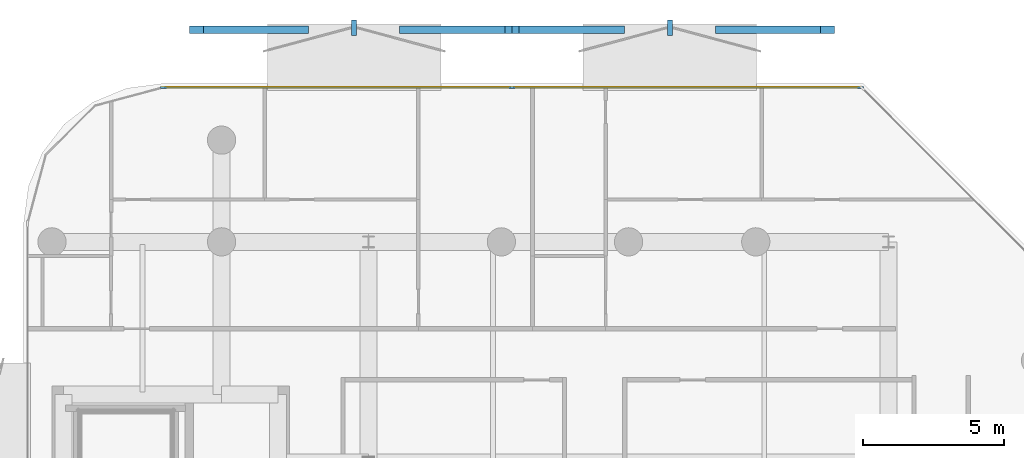
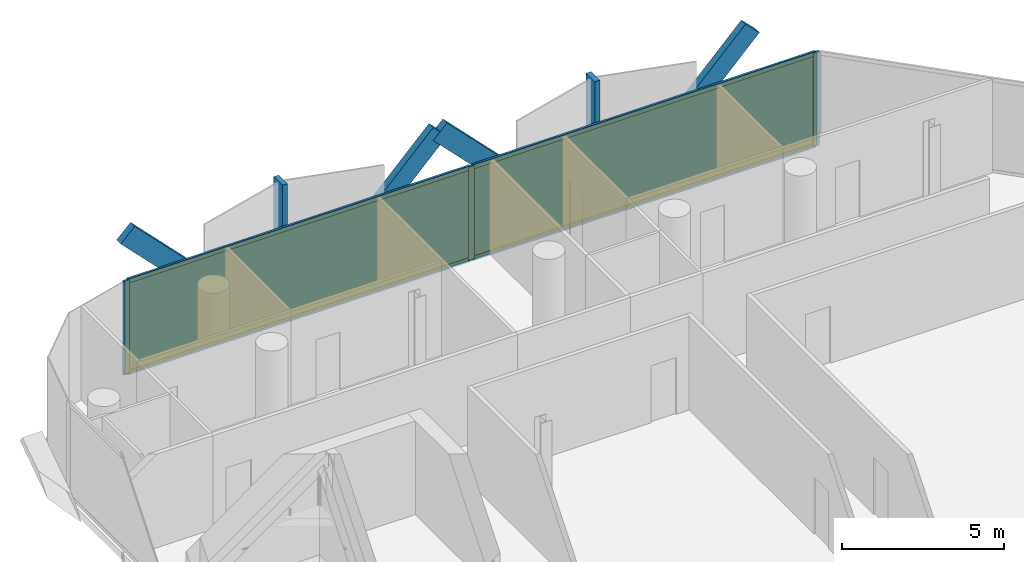
# One storey, part 12 of 16: 13 members, 2 plates, 1 curtain wall.
"""IFC4 building model written with IfcOpenShell, lengths in metres."""

import ifcopenshell
import ifcopenshell.guid

model = None  # the IFC model being written
_history = None  # IfcOwnerHistory: only IFC2X3 demands one
_inside = {}  # id of a spatial element -> (the spatial element, [elements in it])
_under = {}  # id of a project, library or spatial element -> (it, [spatial elements below it])
_declared = {}  # id of a project -> (the project, [libraries it declares])
_typed = {}  # id of a type object -> (the type object, [elements of that type])
_made_of = {}  # id of a material, layer set ... -> (it, [elements and type objects made of it])


def new_model(schema):
    """Start an empty IFC model of exactly this schema.

    Asked for "IFC4X3", IfcOpenShell would pick the latest addendum, in which some entities
    have other attributes; the version numbers below select the first issue.
    IFC2X3 requires an IfcOwnerHistory on every rooted entity: one is made here for all.
    """
    global model, _history
    if schema == "IFC4X3":
        model = ifcopenshell.file(schema_version=(4, 3, 0, 0))
    else:
        model = ifcopenshell.file(schema=schema)
    _inside.clear()
    _under.clear()
    _declared.clear()
    _typed.clear()
    _made_of.clear()
    _history = None
    if model.schema == "IFC2X3":
        org = make("IfcOrganization", Name="unknown")
        user = make(
            "IfcPersonAndOrganization",
            ThePerson=make("IfcPerson", FamilyName="unknown"),
            TheOrganization=org,
        )
        app = make(
            "IfcApplication",
            ApplicationDeveloper=org,
            Version="unknown",
            ApplicationFullName="unknown",
            ApplicationIdentifier="unknown",
        )
        _history = make(
            "IfcOwnerHistory",
            OwningUser=user,
            OwningApplication=app,
            ChangeAction="ADDED",
            CreationDate=0,
        )
    return model


def make(cls, **values):
    """One entity of the class cls with the attributes given. An attribute that is None is left unset."""
    return model.create_entity(
        cls, **{name: value for name, value in values.items() if value is not None}
    )


def rooted(cls, **values):
    """An entity with a GlobalId (a new one), such as an element, a storey or a relation."""
    return make(cls, GlobalId=ifcopenshell.guid.new(), OwnerHistory=_history, **values)


def si_unit(unit_type, name, prefix=None):
    """IfcSIUnit, for example si_unit("LENGTHUNIT", "METRE", prefix="MILLI")."""
    return make("IfcSIUnit", UnitType=unit_type, Prefix=prefix, Name=name)


def assignment(units):
    """IfcUnitAssignment: the units of a project."""
    return None if units is None else make("IfcUnitAssignment", Units=units)


def point(xyz):
    """IfcCartesianPoint."""
    return None if xyz is None else make("IfcCartesianPoint", Coordinates=xyz)


def direction(xyz):
    """IfcDirection."""
    return None if xyz is None else make("IfcDirection", DirectionRatios=xyz)


def frame(location, z_axis=None, x_axis=None):
    """IfcAxis2Placement3D, a coordinate frame: its origin and axes. An axis left out is left unset."""
    return make(
        "IfcAxis2Placement3D",
        Location=point(location),
        Axis=direction(z_axis),
        RefDirection=direction(x_axis),
    )


def frame_2d(location, x_axis=None):
    """IfcAxis2Placement2D, a coordinate frame in the plane: its origin and x axis."""
    return make(
        "IfcAxis2Placement2D", Location=point(location), RefDirection=direction(x_axis)
    )


def origin():
    """The frame at (0, 0, 0) with its axes left unset."""
    return frame((0.0, 0.0, 0.0))


def origin_2d():
    """The frame at (0, 0) in the plane with its x axis left unset."""
    return frame_2d((0.0, 0.0))


def place(relative_to, where):
    """IfcLocalPlacement: puts the frame where relative to a parent placement (None: the world)."""
    return make(
        "IfcLocalPlacement", PlacementRelTo=relative_to, RelativePlacement=where
    )


def context(
    kind, dimensions, precision=None, world=None, true_north=None, identifier=None
):
    """IfcGeometricRepresentationContext, for example the 3D "Model" context."""
    return make(
        "IfcGeometricRepresentationContext",
        ContextIdentifier=identifier,
        ContextType=kind,
        CoordinateSpaceDimension=dimensions,
        Precision=precision,
        WorldCoordinateSystem=world,
        TrueNorth=true_north,
    )


def subcontext(parent, identifier, kind, view, scale=None):
    """IfcGeometricRepresentationSubContext, for example "Body" below "Model"."""
    return make(
        "IfcGeometricRepresentationSubContext",
        ContextIdentifier=identifier,
        ContextType=kind,
        ParentContext=parent,
        TargetScale=scale,
        TargetView=view,
    )


def project(units=None, contexts=None):
    """IfcProject with its units and contexts."""
    return rooted(
        "IfcProject",
        Name="project",
        RepresentationContexts=contexts,
        UnitsInContext=assignment(units),
    )


def spatial(cls, under=None, at=None, **own):
    """A site, building, storey or space (cls), placed at a placement, below another one or the project."""
    s = rooted(cls, ObjectPlacement=at, **own)
    if under is not None:
        _under.setdefault(under.id(), (under, []))[1].append(s)
    return s


def profile(cls, at=None, kind="AREA", **sizes):
    """A parametric profile (cls). Its sizes go by their IFC names, for example OverallWidth=200.0."""
    return make(cls, ProfileType=kind, Position=at, **sizes)


def rectangle(**sizes):
    """IfcRectangleProfileDef."""
    return profile("IfcRectangleProfileDef", **sizes)


def extrude(swept, where, along, depth):
    """IfcExtrudedAreaSolid: the profile swept, set in the frame where, extruded along a direction by depth."""
    return make(
        "IfcExtrudedAreaSolid",
        SweptArea=swept,
        Position=where,
        ExtrudedDirection=direction(along),
        Depth=depth,
    )


def shape(context_of_items, identifier, shape_type, items):
    """IfcShapeRepresentation: the items that make up one representation, for example the "Body"."""
    return make(
        "IfcShapeRepresentation",
        ContextOfItems=context_of_items,
        RepresentationIdentifier=identifier,
        RepresentationType=shape_type,
        Items=items,
    )


def material(Name=None, Category=None):
    """IfcMaterial."""
    return make("IfcMaterial", Name=Name, Category=Category)


def layer(
    of_material, thickness, ventilated=None, Name=None, Category=None, Priority=None
):
    """IfcMaterialLayer: one layer of a wall or slab, of a material (None: an air gap)."""
    return make(
        "IfcMaterialLayer",
        Material=of_material,
        LayerThickness=thickness,
        IsVentilated=ventilated,
        Name=Name,
        Category=Category,
        Priority=Priority,
    )


def layer_set(layers, Name=None):
    """IfcMaterialLayerSet."""
    return make("IfcMaterialLayerSet", MaterialLayers=layers, LayerSetName=Name)


def material_profile(
    of_material, cross_section, Name=None, Category=None, Priority=None
):
    """IfcMaterialProfile: a cross section and its material."""
    return make(
        "IfcMaterialProfile",
        Name=Name,
        Material=of_material,
        Profile=cross_section,
        Priority=Priority,
        Category=Category,
    )


def profile_set(profiles, Name=None, composite=None):
    """IfcMaterialProfileSet."""
    return make(
        "IfcMaterialProfileSet",
        Name=Name,
        MaterialProfiles=profiles,
        CompositeProfile=composite,
    )


def made_of(thing, what):
    """Note that an element or type object is made of a material, layer set ...; save() writes the relation."""
    if what is not None:
        _made_of.setdefault(what.id(), (what, []))[1].append(thing)
    return thing


def type_object(cls, material=None, **own):
    """A type object (cls), such as IfcWallType, which elements share."""
    return made_of(rooted(cls, **own), material)


def element(
    cls,
    number,
    at=None,
    inside=None,
    cuts=None,
    type_object=None,
    material=None,
    context=None,
    identifier="Body",
    shape_type=None,
    held_by="IfcProductDefinitionShape",
    body=None,
    shapes=None,
    **own,
):
    """One element of the class cls, such as IfcWall. Its Tag is "e" and its number.

    at: its placement. inside: the storey or other place that contains it. cuts: it is an
    opening in that element (IfcRelVoidsElement). A single representation is given by context,
    identifier, shape_type and body (its items); several are given by shapes. held_by: the class
    of the entity that holds the representations. save() writes the other relations.
    """
    e = rooted(cls, Tag="e%d" % number, ObjectPlacement=at, **own)
    if body is not None:
        shapes = [shape(context, identifier, shape_type, body)]
    if shapes is not None:
        e.Representation = make(held_by, Representations=shapes)
    if inside is not None:
        _inside.setdefault(inside.id(), (inside, []))[1].append(e)
    if cuts is not None:
        rooted(
            "IfcRelVoidsElement", RelatingBuildingElement=cuts, RelatedOpeningElement=e
        )
    if type_object is not None:
        _typed.setdefault(type_object.id(), (type_object, []))[1].append(e)
    return made_of(e, material)


def aggregate(whole, parts):
    """IfcRelAggregates: a whole, such as a stair, and the parts it consists of."""
    return rooted("IfcRelAggregates", RelatingObject=whole, RelatedObjects=parts)


def save(model, path):
    """Write the relations noted so far, then the file.

    IfcRelAggregates (storeys below a building ...), IfcRelContainedInSpatialStructure (elements
    in a storey), IfcRelDefinesByType, IfcRelAssociatesMaterial and IfcRelDeclares: one each for
    every whole, place, type object, material and project.
    """
    for whole, parts in _under.values():
        aggregate(whole, parts)
    for where, things in _inside.values():
        rooted(
            "IfcRelContainedInSpatialStructure",
            RelatedElements=things,
            RelatingStructure=where,
        )
    for kind, things in _typed.values():
        rooted("IfcRelDefinesByType", RelatedObjects=things, RelatingType=kind)
    for what, things in _made_of.values():
        rooted("IfcRelAssociatesMaterial", RelatedObjects=things, RelatingMaterial=what)
    for by, libraries in _declared.values():
        rooted("IfcRelDeclares", RelatingContext=by, RelatedDefinitions=libraries)
    model.write(path)


model = new_model("IFC4")

# Units and contexts
model_context = context("Model", 3, precision=1e-05, world=origin(), true_north=direction((0.0, 1.0)))
body_context = subcontext(model_context, "Body", "Model", "MODEL_VIEW")
ifc_project = project(units=[si_unit("LENGTHUNIT", "METRE"), si_unit("AREAUNIT", "SQUARE_METRE"), si_unit("VOLUMEUNIT", "CUBIC_METRE"), si_unit("PLANEANGLEUNIT", "RADIAN"), si_unit("MASSUNIT", "GRAM", prefix="KILO")], contexts=[model_context])

# Member
ifc_material_1 = material(Name="Anodised Bronze Aluminium 6063-T6", Category="aluminium")
ifc_material_profile_1 = material_profile(ifc_material_1, rectangle(XDim=0.260009765625, YDim=0.699951171875, at=origin_2d()))
ifc_profile_set_1 = profile_set([ifc_material_profile_1], Name="Anodised Bronze Aluminium 6063-T6")
member_type_1 = type_object("IfcMemberType", Name="Bronze Diamond Solar-Screen Lattice Rib BDL-700", PredefinedType="MULLION", material=ifc_profile_set_1)
site_placement = place(None, origin())
building_placement = place(site_placement, origin())
storey_placement = place(building_placement, frame((0.0, 0.0, 296.60009765625)))
member_1_placement = place(storey_placement, frame((-7.846435546875, 26.10009765625, -0.130126953125), z_axis=(0.699724861677, 0.0, 0.714412428469), x_axis=(0.0, 1.0, 0.0)))
member_1 = element("IfcMember", 1, at=member_1_placement, type_object=member_type_1, Name="L71 Bronze Diamond Solar Screen Lattice Rib 498A", PredefinedType="MULLION", context=body_context, shape_type="SweptSolid", body=[
    extrude(rectangle(XDim=0.260009765625, YDim=0.699951171875, at=origin_2d()), origin(), (0.0, 0.0, 1.0), 5.319091796875),
])

member_2_placement = place(storey_placement, frame((-11.568603515625, 26.10009765625, -0.130126953125), z_axis=(-0.699748286535, 0.0, 0.714389484449), x_axis=(0.0, -1.0, 0.0)))
member_2 = element("IfcMember", 2, at=member_2_placement, type_object=member_type_1, Name="L71 Bronze Diamond Solar Screen Lattice Rib 498B", PredefinedType="MULLION", context=body_context, shape_type="SweptSolid", body=[
    extrude(rectangle(XDim=0.260009765625, YDim=0.699951171875, at=origin_2d()), origin(), (0.0, 0.0, 1.0), 5.3193359375),
])

member_3_placement = place(storey_placement, frame((3.31982421875, 26.10009765625, -0.130126953125), z_axis=(0.699748286535, 0.0, 0.714389484449), x_axis=(0.0, 1.0, 0.0)))
member_3 = element("IfcMember", 3, at=member_3_placement, type_object=member_type_1, Name="L71 Bronze Diamond Solar Screen Lattice Rib 499A", PredefinedType="MULLION", context=body_context, shape_type="SweptSolid", body=[
    extrude(rectangle(XDim=0.260009765625, YDim=0.699951171875, at=origin_2d()), origin(), (0.0, 0.0, 1.0), 5.3193359375),
])

member_4_placement = place(storey_placement, frame((-0.40234375, 26.10009765625, -0.130126953125), z_axis=(-0.699748286535, 0.0, 0.714389484449), x_axis=(0.0, -1.0, 0.0)))
member_4 = element("IfcMember", 4, at=member_4_placement, type_object=member_type_1, Name="L71 Bronze Diamond Solar Screen Lattice Rib 499B", PredefinedType="MULLION", context=body_context, shape_type="SweptSolid", body=[
    extrude(rectangle(XDim=0.260009765625, YDim=0.699951171875, at=origin_2d()), origin(), (0.0, 0.0, 1.0), 5.3193359375),
])

ifc_material_2 = material(Name="Anodised Bronze Aluminium 6063-T6", Category="aluminium")
ifc_material_profile_2 = material_profile(ifc_material_2, rectangle(XDim=0.179931640625, YDim=0.5400390625, at=origin_2d()))
ifc_profile_set_2 = profile_set([ifc_material_profile_2], Name="Anodised Bronze Aluminium 6063-T6")
member_type_2 = type_object("IfcMemberType", Name="Bronze Solar-Screen Vertical Fold Fin BSF-540", PredefinedType="MULLION", material=ifc_profile_set_2)
member_5_placement = place(storey_placement, frame((-9.70751953125, 26.179931640625, -0.130126953125), z_axis=(0.0, 0.0, 1.0), x_axis=(1.0, 0.0, 0.0)))
member_5 = element("IfcMember", 5, at=member_5_placement, type_object=member_type_2, Name="L71 Bronze Solar Screen Vertical Fin 498", PredefinedType="MULLION", context=body_context, shape_type="SweptSolid", body=[
    extrude(rectangle(XDim=0.179931640625, YDim=0.5400390625, at=origin_2d()), origin(), (0.0, 0.0, 1.0), 3.800048828125),
])

member_6_placement = place(storey_placement, frame((1.458740234375, 26.179931640625, -0.130126953125), z_axis=(0.0, 0.0, 1.0), x_axis=(1.0, 0.0, 0.0)))
member_6 = element("IfcMember", 6, at=member_6_placement, type_object=member_type_2, Name="L71 Bronze Solar Screen Vertical Fin 499", PredefinedType="MULLION", context=body_context, shape_type="SweptSolid", body=[
    extrude(rectangle(XDim=0.179931640625, YDim=0.5400390625, at=origin_2d()), origin(), (0.0, 0.0, 1.0), 3.800048828125),
])

ifc_material_3 = material(Name="Anodised Bronze Aluminium 6063-T6", Category="aluminium")
ifc_material_profile_3 = material_profile(ifc_material_3, rectangle(XDim=0.074951171875, YDim=0.2099609375, at=origin_2d()))
ifc_profile_set_3 = profile_set([ifc_material_profile_3], Name="Anodised Bronze Aluminium 6063-T6")
member_type_3 = type_object("IfcMemberType", Name="CW-CRN Mullion 75x210", PredefinedType="MULLION", material=ifc_profile_set_3)
member_7_placement = place(storey_placement, frame((-16.453369140625, 24.06005859375, 0.0), z_axis=(0.0, 0.0, 1.0), x_axis=(0.0, 1.0, 0.0)))
member_7 = element("IfcMember", 7, at=member_7_placement, type_object=member_type_3, Name="CW-CRN mullion 1", PredefinedType="MULLION", context=body_context, shape_type="SweptSolid", body=[
    extrude(rectangle(XDim=0.074951171875, YDim=0.2099609375, at=origin_2d()), origin(), (0.0, 0.0, 1.0), 3.539794921875),
])

member_8_placement = place(storey_placement, frame((-4.12451171875, 24.06005859375, 0.0), z_axis=(0.0, 0.0, 1.0), x_axis=(0.0, 1.0, 0.0)))
member_8 = element("IfcMember", 8, at=member_8_placement, type_object=member_type_3, Name="CW-CRN mullion 2", PredefinedType="MULLION", context=body_context, shape_type="SweptSolid", body=[
    extrude(rectangle(XDim=0.074951171875, YDim=0.2099609375, at=origin_2d()), origin(), (0.0, 0.0, 1.0), 3.539794921875),
])

member_9_placement = place(storey_placement, frame((8.20458984375, 24.06005859375, 0.0), z_axis=(0.0, 0.0, 1.0), x_axis=(0.0, 1.0, 0.0)))
member_9 = element("IfcMember", 9, at=member_9_placement, type_object=member_type_3, Name="CW-CRN mullion 3", PredefinedType="MULLION", context=body_context, shape_type="SweptSolid", body=[
    extrude(rectangle(XDim=0.074951171875, YDim=0.2099609375, at=origin_2d()), origin(), (0.0, 0.0, 1.0), 3.539794921875),
])

ifc_material_4 = material(Name="Anodised Bronze Aluminium 6063-T6", Category="aluminium")
ifc_material_profile_4 = material_profile(ifc_material_4, rectangle(XDim=0.074951171875, YDim=0.1650390625, at=origin_2d()))
ifc_profile_set_4 = profile_set([ifc_material_profile_4], Name="Anodised Bronze Aluminium 6063-T6")
member_type_4 = type_object("IfcMemberType", Name="CW-CRN Transom 75x165", PredefinedType="USERDEFINED", material=ifc_profile_set_4)
member_10_placement = place(storey_placement, frame((-16.415771484375, 24.06005859375, 0.037353515625), z_axis=(1.0, 0.0, 0.0), x_axis=(0.0, 1.0, 0.0)))
member_10 = element("IfcMember", 10, at=member_10_placement, type_object=member_type_4, Name="CW-CRN transom 1.1", ObjectType="TRANSOM", PredefinedType="USERDEFINED", context=body_context, shape_type="SweptSolid", body=[
    extrude(rectangle(XDim=0.074951171875, YDim=0.1650390625, at=origin_2d()), origin(), (0.0, 0.0, 1.0), 12.25390625),
])

member_11_placement = place(storey_placement, frame((-16.415771484375, 24.06005859375, 3.50244140625), z_axis=(1.0, 0.0, 0.0), x_axis=(0.0, 1.0, 0.0)))
member_11 = element("IfcMember", 11, at=member_11_placement, type_object=member_type_4, Name="CW-CRN transom 1.2", ObjectType="TRANSOM", PredefinedType="USERDEFINED", context=body_context, shape_type="SweptSolid", body=[
    extrude(rectangle(XDim=0.074951171875, YDim=0.1650390625, at=origin_2d()), origin(), (0.0, 0.0, 1.0), 12.25390625),
])

member_12_placement = place(storey_placement, frame((-4.0869140625, 24.06005859375, 0.037353515625), z_axis=(1.0, 0.0, 0.0), x_axis=(0.0, 1.0, 0.0)))
member_12 = element("IfcMember", 12, at=member_12_placement, type_object=member_type_4, Name="CW-CRN transom 2.1", ObjectType="TRANSOM", PredefinedType="USERDEFINED", context=body_context, shape_type="SweptSolid", body=[
    extrude(rectangle(XDim=0.074951171875, YDim=0.1650390625, at=origin_2d()), origin(), (0.0, 0.0, 1.0), 12.25390625),
])

member_13_placement = place(storey_placement, frame((-4.0869140625, 24.06005859375, 3.50244140625), z_axis=(1.0, 0.0, 0.0), x_axis=(0.0, 1.0, 0.0)))
member_13 = element("IfcMember", 13, at=member_13_placement, type_object=member_type_4, Name="CW-CRN transom 2.2", ObjectType="TRANSOM", PredefinedType="USERDEFINED", context=body_context, shape_type="SweptSolid", body=[
    extrude(rectangle(XDim=0.074951171875, YDim=0.1650390625, at=origin_2d()), origin(), (0.0, 0.0, 1.0), 12.25390625),
])

# Plate
ifc_material_5 = material(Name="Low-E Solar Control Laminated Glass", Category="glass")
ifc_layer_1 = layer(ifc_material_5, 0.035888671875, Name="Low-E Solar Control Laminated Glass")
ifc_layer_set_1 = layer_set([ifc_layer_1], Name="Low-E Solar Control Laminated Glass")
plate_type = type_object("IfcPlateType", Name="CW-CRN Low-E Double Glazed Panel 36mm", PredefinedType="CURTAIN_PANEL", material=ifc_layer_set_1)
plate_1_placement = place(storey_placement, frame((-10.288818359375, 24.06005859375, 0.0751953125), z_axis=(0.0, 0.0, 1.0), x_axis=(1.0, 0.0, 0.0)))
plate_1 = element("IfcPlate", 14, at=plate_1_placement, type_object=plate_type, Name="CW-CRN panel 1.1", PredefinedType="CURTAIN_PANEL", context=body_context, shape_type="SweptSolid", body=[
    extrude(rectangle(XDim=12.25390625, YDim=0.035888671875, at=origin_2d()), origin(), (0.0, 0.0, 1.0), 3.389892578125),
])

plate_2_placement = place(storey_placement, frame((2.0400390625, 24.06005859375, 0.0751953125), z_axis=(0.0, 0.0, 1.0), x_axis=(1.0, 0.0, 0.0)))
plate_2 = element("IfcPlate", 15, at=plate_2_placement, type_object=plate_type, Name="CW-CRN panel 2.1", PredefinedType="CURTAIN_PANEL", context=body_context, shape_type="SweptSolid", body=[
    extrude(rectangle(XDim=12.25390625, YDim=0.035888671875, at=origin_2d()), origin(), (0.0, 0.0, 1.0), 3.389892578125),
])

# Site, building, storey
site = spatial("IfcSite", under=ifc_project, at=site_placement, CompositionType="ELEMENT")
building = spatial("IfcBuilding", under=site, at=building_placement, Name="Khairoan Windgate Tower", CompositionType="ELEMENT")
storey = spatial("IfcBuildingStorey", under=building, at=storey_placement, Name="L71", CompositionType="ELEMENT", Elevation=296.60009765625)

# Curtain wall
ifc_material_6 = material(Name="Anodised Bronze Aluminium 6063-T6", Category="aluminium")
ifc_layer_2 = layer(ifc_material_6, 0.2099609375, Name="Anodised Bronze Aluminium 6063-T6")
ifc_layer_set_2 = layer_set([ifc_layer_2], Name="Anodised Bronze Aluminium 6063-T6")
curtain_wall_type = type_object("IfcCurtainWallType", Name="Crown Observation and Vitrine Curtain Wall CW-CRN", PredefinedType="NOTDEFINED", material=ifc_layer_set_2)
curtain_wall_placement = place(storey_placement, frame((-16.49072265625, 24.06005859375, 0.0), z_axis=(0.0, 0.0, 1.0), x_axis=(1.0, 0.0, 0.0)))
curtain_wall = element("IfcCurtainWall", 16, at=curtain_wall_placement, inside=storey, type_object=curtain_wall_type, Name="L71 Unitised Curtain Wall 7", PredefinedType="NOTDEFINED", context=body_context, shape_type="SweptSolid", body=[
    extrude(rectangle(XDim=24.732666015625, YDim=0.010009765625, at=frame_2d((12.3662109375, 0.0))), origin(), (0.0, 0.0, 1.0), 3.539794921875),
])

aggregate(curtain_wall, [member_7, member_8, member_9, member_10, member_11, plate_1, member_12, member_13, plate_2, member_1, member_2, member_5, member_3, member_4, member_6])

save(model, "model.ifc")
